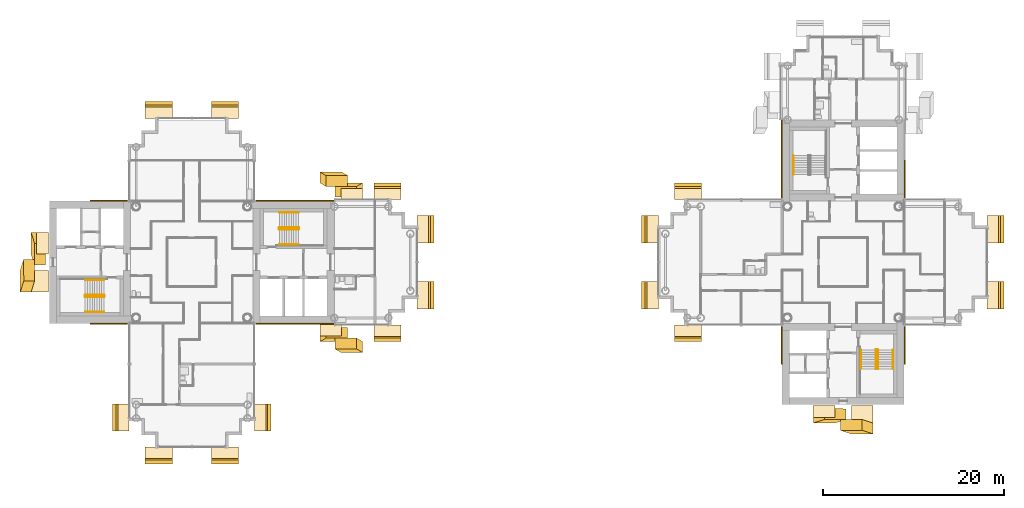
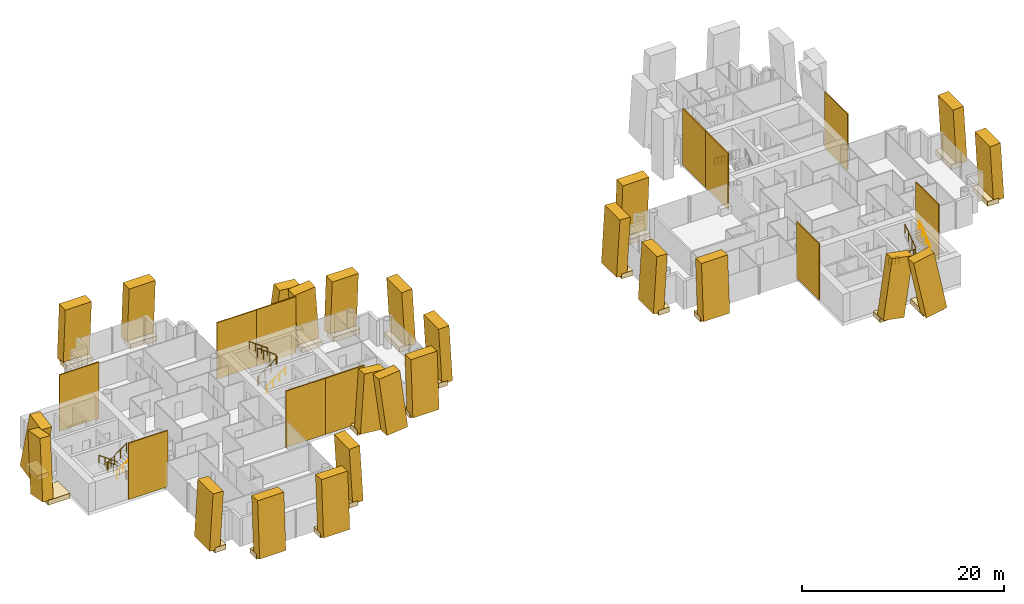
# One storey, part 16 of 18: 57 coverings, 10 railings.
"""IFC4 building model written with IfcOpenShell, lengths in metres."""

import ifcopenshell
import ifcopenshell.guid

model = None  # the IFC model being written
_history = None  # IfcOwnerHistory: only IFC2X3 demands one
_inside = {}  # id of a spatial element -> (the spatial element, [elements in it])
_under = {}  # id of a project, library or spatial element -> (it, [spatial elements below it])
_declared = {}  # id of a project -> (the project, [libraries it declares])
_typed = {}  # id of a type object -> (the type object, [elements of that type])
_made_of = {}  # id of a material, layer set ... -> (it, [elements and type objects made of it])


def new_model(schema):
    """Start an empty IFC model of exactly this schema.

    Asked for "IFC4X3", IfcOpenShell would pick the latest addendum, in which some entities
    have other attributes; the version numbers below select the first issue.
    IFC2X3 requires an IfcOwnerHistory on every rooted entity: one is made here for all.
    """
    global model, _history
    if schema == "IFC4X3":
        model = ifcopenshell.file(schema_version=(4, 3, 0, 0))
    else:
        model = ifcopenshell.file(schema=schema)
    _inside.clear()
    _under.clear()
    _declared.clear()
    _typed.clear()
    _made_of.clear()
    _history = None
    if model.schema == "IFC2X3":
        org = make("IfcOrganization", Name="unknown")
        user = make(
            "IfcPersonAndOrganization",
            ThePerson=make("IfcPerson", FamilyName="unknown"),
            TheOrganization=org,
        )
        app = make(
            "IfcApplication",
            ApplicationDeveloper=org,
            Version="unknown",
            ApplicationFullName="unknown",
            ApplicationIdentifier="unknown",
        )
        _history = make(
            "IfcOwnerHistory",
            OwningUser=user,
            OwningApplication=app,
            ChangeAction="ADDED",
            CreationDate=0,
        )
    return model


def make(cls, **values):
    """One entity of the class cls with the attributes given. An attribute that is None is left unset."""
    return model.create_entity(
        cls, **{name: value for name, value in values.items() if value is not None}
    )


def rooted(cls, **values):
    """An entity with a GlobalId (a new one), such as an element, a storey or a relation."""
    return make(cls, GlobalId=ifcopenshell.guid.new(), OwnerHistory=_history, **values)


def si_unit(unit_type, name, prefix=None):
    """IfcSIUnit, for example si_unit("LENGTHUNIT", "METRE", prefix="MILLI")."""
    return make("IfcSIUnit", UnitType=unit_type, Prefix=prefix, Name=name)


def assignment(units):
    """IfcUnitAssignment: the units of a project."""
    return None if units is None else make("IfcUnitAssignment", Units=units)


def point(xyz):
    """IfcCartesianPoint."""
    return None if xyz is None else make("IfcCartesianPoint", Coordinates=xyz)


def direction(xyz):
    """IfcDirection."""
    return None if xyz is None else make("IfcDirection", DirectionRatios=xyz)


def frame(location, z_axis=None, x_axis=None):
    """IfcAxis2Placement3D, a coordinate frame: its origin and axes. An axis left out is left unset."""
    return make(
        "IfcAxis2Placement3D",
        Location=point(location),
        Axis=direction(z_axis),
        RefDirection=direction(x_axis),
    )


def frame_2d(location, x_axis=None):
    """IfcAxis2Placement2D, a coordinate frame in the plane: its origin and x axis."""
    return make(
        "IfcAxis2Placement2D", Location=point(location), RefDirection=direction(x_axis)
    )


def origin():
    """The frame at (0, 0, 0) with its axes left unset."""
    return frame((0.0, 0.0, 0.0))


def origin_2d():
    """The frame at (0, 0) in the plane with its x axis left unset."""
    return frame_2d((0.0, 0.0))


def place(relative_to, where):
    """IfcLocalPlacement: puts the frame where relative to a parent placement (None: the world)."""
    return make(
        "IfcLocalPlacement", PlacementRelTo=relative_to, RelativePlacement=where
    )


def context(
    kind, dimensions, precision=None, world=None, true_north=None, identifier=None
):
    """IfcGeometricRepresentationContext, for example the 3D "Model" context."""
    return make(
        "IfcGeometricRepresentationContext",
        ContextIdentifier=identifier,
        ContextType=kind,
        CoordinateSpaceDimension=dimensions,
        Precision=precision,
        WorldCoordinateSystem=world,
        TrueNorth=true_north,
    )


def subcontext(parent, identifier, kind, view, scale=None):
    """IfcGeometricRepresentationSubContext, for example "Body" below "Model"."""
    return make(
        "IfcGeometricRepresentationSubContext",
        ContextIdentifier=identifier,
        ContextType=kind,
        ParentContext=parent,
        TargetScale=scale,
        TargetView=view,
    )


def project(units=None, contexts=None):
    """IfcProject with its units and contexts."""
    return rooted(
        "IfcProject",
        Name="project",
        RepresentationContexts=contexts,
        UnitsInContext=assignment(units),
    )


def spatial(cls, under=None, at=None, **own):
    """A site, building, storey or space (cls), placed at a placement, below another one or the project."""
    s = rooted(cls, ObjectPlacement=at, **own)
    if under is not None:
        _under.setdefault(under.id(), (under, []))[1].append(s)
    return s


def profile(cls, at=None, kind="AREA", **sizes):
    """A parametric profile (cls). Its sizes go by their IFC names, for example OverallWidth=200.0."""
    return make(cls, ProfileType=kind, Position=at, **sizes)


def rectangle(**sizes):
    """IfcRectangleProfileDef."""
    return profile("IfcRectangleProfileDef", **sizes)


def circle(**sizes):
    """IfcCircleProfileDef."""
    return profile("IfcCircleProfileDef", **sizes)


def extrude(swept, where, along, depth):
    """IfcExtrudedAreaSolid: the profile swept, set in the frame where, extruded along a direction by depth."""
    return make(
        "IfcExtrudedAreaSolid",
        SweptArea=swept,
        Position=where,
        ExtrudedDirection=direction(along),
        Depth=depth,
    )


def shape(context_of_items, identifier, shape_type, items):
    """IfcShapeRepresentation: the items that make up one representation, for example the "Body"."""
    return make(
        "IfcShapeRepresentation",
        ContextOfItems=context_of_items,
        RepresentationIdentifier=identifier,
        RepresentationType=shape_type,
        Items=items,
    )


def material(Name=None, Category=None):
    """IfcMaterial."""
    return make("IfcMaterial", Name=Name, Category=Category)


def layer(
    of_material, thickness, ventilated=None, Name=None, Category=None, Priority=None
):
    """IfcMaterialLayer: one layer of a wall or slab, of a material (None: an air gap)."""
    return make(
        "IfcMaterialLayer",
        Material=of_material,
        LayerThickness=thickness,
        IsVentilated=ventilated,
        Name=Name,
        Category=Category,
        Priority=Priority,
    )


def layer_set(layers, Name=None):
    """IfcMaterialLayerSet."""
    return make("IfcMaterialLayerSet", MaterialLayers=layers, LayerSetName=Name)


def material_profile(
    of_material, cross_section, Name=None, Category=None, Priority=None
):
    """IfcMaterialProfile: a cross section and its material."""
    return make(
        "IfcMaterialProfile",
        Name=Name,
        Material=of_material,
        Profile=cross_section,
        Priority=Priority,
        Category=Category,
    )


def profile_set(profiles, Name=None, composite=None):
    """IfcMaterialProfileSet."""
    return make(
        "IfcMaterialProfileSet",
        Name=Name,
        MaterialProfiles=profiles,
        CompositeProfile=composite,
    )


def made_of(thing, what):
    """Note that an element or type object is made of a material, layer set ...; save() writes the relation."""
    if what is not None:
        _made_of.setdefault(what.id(), (what, []))[1].append(thing)
    return thing


def type_object(cls, material=None, **own):
    """A type object (cls), such as IfcWallType, which elements share."""
    return made_of(rooted(cls, **own), material)


def element(
    cls,
    number,
    at=None,
    inside=None,
    cuts=None,
    type_object=None,
    material=None,
    context=None,
    identifier="Body",
    shape_type=None,
    held_by="IfcProductDefinitionShape",
    body=None,
    shapes=None,
    **own,
):
    """One element of the class cls, such as IfcWall. Its Tag is "e" and its number.

    at: its placement. inside: the storey or other place that contains it. cuts: it is an
    opening in that element (IfcRelVoidsElement). A single representation is given by context,
    identifier, shape_type and body (its items); several are given by shapes. held_by: the class
    of the entity that holds the representations. save() writes the other relations.
    """
    e = rooted(cls, Tag="e%d" % number, ObjectPlacement=at, **own)
    if body is not None:
        shapes = [shape(context, identifier, shape_type, body)]
    if shapes is not None:
        e.Representation = make(held_by, Representations=shapes)
    if inside is not None:
        _inside.setdefault(inside.id(), (inside, []))[1].append(e)
    if cuts is not None:
        rooted(
            "IfcRelVoidsElement", RelatingBuildingElement=cuts, RelatedOpeningElement=e
        )
    if type_object is not None:
        _typed.setdefault(type_object.id(), (type_object, []))[1].append(e)
    return made_of(e, material)


def aggregate(whole, parts):
    """IfcRelAggregates: a whole, such as a stair, and the parts it consists of."""
    return rooted("IfcRelAggregates", RelatingObject=whole, RelatedObjects=parts)


def save(model, path):
    """Write the relations noted so far, then the file.

    IfcRelAggregates (storeys below a building ...), IfcRelContainedInSpatialStructure (elements
    in a storey), IfcRelDefinesByType, IfcRelAssociatesMaterial and IfcRelDeclares: one each for
    every whole, place, type object, material and project.
    """
    for whole, parts in _under.values():
        aggregate(whole, parts)
    for where, things in _inside.values():
        rooted(
            "IfcRelContainedInSpatialStructure",
            RelatedElements=things,
            RelatingStructure=where,
        )
    for kind, things in _typed.values():
        rooted("IfcRelDefinesByType", RelatedObjects=things, RelatingType=kind)
    for what, things in _made_of.values():
        rooted("IfcRelAssociatesMaterial", RelatedObjects=things, RelatingMaterial=what)
    for by, libraries in _declared.values():
        rooted("IfcRelDeclares", RelatingContext=by, RelatedDefinitions=libraries)
    model.write(path)


model = new_model("IFC4")

# Units and contexts
model_context = context("Model", 3, precision=1e-05, world=origin(), true_north=direction((0.0, 1.0)))
body_context = subcontext(model_context, "Body", "Model", "MODEL_VIEW")
ifc_project = project(units=[si_unit("LENGTHUNIT", "METRE"), si_unit("AREAUNIT", "SQUARE_METRE"), si_unit("VOLUMEUNIT", "CUBIC_METRE"), si_unit("PLANEANGLEUNIT", "RADIAN"), si_unit("MASSUNIT", "GRAM", prefix="KILO")], contexts=[model_context])

# Site, building, storey
site_placement = place(None, origin())
site = spatial("IfcSite", under=ifc_project, at=site_placement, CompositionType="ELEMENT")
building_placement = place(site_placement, origin())
building = spatial("IfcBuilding", under=site, at=building_placement, Name="Ipe Terrace Towers", CompositionType="ELEMENT")
storey_placement = place(building_placement, frame((0.0, 0.0, 143.89990234375)))
storey = spatial("IfcBuildingStorey", under=building, at=storey_placement, Name="L39", CompositionType="ELEMENT", Elevation=143.89990234375)

# Coverings
ifc_material_1 = material(Name="Concrete C50/60 precast, buff finish", Category="concrete")
ifc_layer = layer(ifc_material_1, 0.1201171875)
ifc_layer_set = layer_set([ifc_layer], Name="STONE CORE CLADDING 120")
covering_type_1 = type_object("IfcCoveringType", Name="STONE CORE CLADDING 120", PredefinedType="CLADDING", material=ifc_layer_set)
for number, where, z_axis, x_axis, name in (
    (1, (-45.0, -6.81005859375, 0.0), (0.0, 0.0, 1.0), (1.0, 0.0, 0.0), "stone core cladding"),
    (2, (-45.0, 6.81005859375, 0.0), (0.0, 0.0, 1.0), (-1.0, 0.0, 0.0), "stone core cladding"),
    (3, (-27.0, -6.81005859375, 0.0), (0.0, 0.0, 1.0), (1.0, 0.0, 0.0), "stone core cladding"),
):
    element("IfcCovering", number, at=place(storey_placement, frame(where, z_axis=z_axis, x_axis=x_axis)), inside=storey, type_object=covering_type_1, Name=name, PredefinedType="CLADDING", context=body_context, shape_type="SweptSolid", body=[
        extrude(rectangle(XDim=4.5, YDim=0.1201171875, at=origin_2d()), origin(), (0.0, 0.0, 1.0), 6.800048828125),
    ])
covering_1_placement = place(storey_placement, frame((-22.4990234375, -6.81005859375, 0.0), z_axis=(0.0, 0.0, 1.0), x_axis=(1.0, 0.0, 0.0)))
element("IfcCovering", 4, at=covering_1_placement, inside=storey, type_object=covering_type_1, Name="stone core cladding", PredefinedType="CLADDING", context=body_context, shape_type="SweptSolid", body=[
    extrude(rectangle(XDim=4.5009765625, YDim=0.1201171875, at=origin_2d()), origin(), (0.0, 0.0, 1.0), 6.800048828125),
])
covering_2_placement = place(storey_placement, frame((-27.0, 6.81005859375, 0.0), z_axis=(0.0, 0.0, 1.0), x_axis=(-1.0, 0.0, 0.0)))
element("IfcCovering", 5, at=covering_2_placement, inside=storey, type_object=covering_type_1, Name="stone core cladding", PredefinedType="CLADDING", context=body_context, shape_type="SweptSolid", body=[
    extrude(rectangle(XDim=4.5, YDim=0.1201171875, at=origin_2d()), origin(), (0.0, 0.0, 1.0), 6.800048828125),
])
covering_3_placement = place(storey_placement, frame((-22.4990234375, 6.81005859375, 0.0), z_axis=(0.0, 0.0, 1.0), x_axis=(-1.0, 0.0, 0.0)))
element("IfcCovering", 6, at=covering_3_placement, inside=storey, type_object=covering_type_1, Name="stone core cladding", PredefinedType="CLADDING", context=body_context, shape_type="SweptSolid", body=[
    extrude(rectangle(XDim=4.5009765625, YDim=0.1201171875, at=origin_2d()), origin(), (0.0, 0.0, 1.0), 6.800048828125),
])
for number, where, z_axis, x_axis, name in (
    (7, (29.18994140625, -9.0, 0.0), (0.0, 0.0, 1.0), (0.0, -1.0, 0.0), "stone core cladding"),
    (8, (29.18994140625, 9.0, 0.0), (0.0, 0.0, 1.0), (0.0, -1.0, 0.0), "stone core cladding"),
):
    element("IfcCovering", number, at=place(storey_placement, frame(where, z_axis=z_axis, x_axis=x_axis)), inside=storey, type_object=covering_type_1, Name=name, PredefinedType="CLADDING", context=body_context, shape_type="SweptSolid", body=[
        extrude(rectangle(XDim=4.5, YDim=0.1201171875, at=origin_2d()), origin(), (0.0, 0.0, 1.0), 6.800048828125),
    ])
covering_4_placement = place(storey_placement, frame((29.18994140625, 13.5, 0.0), z_axis=(0.0, 0.0, 1.0), x_axis=(0.0, -1.0, 0.0)))
element("IfcCovering", 9, at=covering_4_placement, inside=storey, type_object=covering_type_1, Name="stone core cladding", PredefinedType="CLADDING", context=body_context, shape_type="SweptSolid", body=[
    extrude(rectangle(XDim=4.5009765625, YDim=0.1201171875, at=origin_2d()), origin(), (0.0, 0.0, 1.0), 6.800048828125),
])
for number, where, z_axis, x_axis, name in (
    (10, (42.81005859375, -9.0, 0.0), (0.0, 0.0, 1.0), (0.0, 1.0, 0.0), "stone core cladding"),
    (11, (42.81005859375, 9.0, 0.0), (0.0, 0.0, 1.0), (0.0, 1.0, 0.0), "stone core cladding"),
):
    element("IfcCovering", number, at=place(storey_placement, frame(where, z_axis=z_axis, x_axis=x_axis)), inside=storey, type_object=covering_type_1, Name=name, PredefinedType="CLADDING", context=body_context, shape_type="SweptSolid", body=[
        extrude(rectangle(XDim=4.5, YDim=0.1201171875, at=origin_2d()), origin(), (0.0, 0.0, 1.0), 6.800048828125),
    ])
ifc_material_2 = material(Name="Concrete C50/60 precast, buff finish", Category="concrete")
ifc_material_profile_1 = material_profile(ifc_material_2, rectangle(XDim=2.39990234375, YDim=1.199951171875, at=origin_2d()), Name="STONE FIN 2400 x 1200")
ifc_profile_set_1 = profile_set([ifc_material_profile_1], Name="Concrete C50/60 precast, buff finish")
covering_type_2 = type_object("IfcCoveringType", Name="STONE FIN 2400 x 1200", PredefinedType="USERDEFINED", material=ifc_profile_set_1)
for number, where, z_axis, x_axis, name in (
    (12, (-18.306884765625, -9.37890625, 0.0), (-0.099785531542, 0.057845651237, 0.993326093651), (0.99500896865, 0.005801112599, 0.099616762634), "stone fin"),
    (13, (-18.306884765625, 8.178955078125, 0.0), (-0.099785531542, -0.057845651237, 0.993326093651), (-0.99500896865, 0.005801112599, -0.099616762634), "stone fin"),
    (14, (-20.64306640625, -8.178955078125, 0.0), (0.099785531542, 0.057845651237, 0.993326093651), (0.99500896865, -0.005801112599, -0.099616762634), "stone fin"),
    (15, (-20.64306640625, 9.37890625, 0.0), (0.099785531542, -0.057845651237, 0.993326093651), (-0.99500896865, -0.005801112599, 0.099616762634), "stone fin"),
):
    element("IfcCovering", number, at=place(storey_placement, frame(where, z_axis=z_axis, x_axis=x_axis)), inside=storey, type_object=covering_type_2, Name=name, ObjectType="FIN", PredefinedType="USERDEFINED", context=body_context, shape_type="SweptSolid", body=[
        extrude(rectangle(XDim=2.39990234375, YDim=1.199951171875, at=origin_2d()), origin(), (0.0, 0.0, 1.0), 6.845703125),
    ])
for number, where, z_axis, x_axis, name in (
    (16, (-54.37890625, -2.112060546875, 0.0), (0.057203032337, 0.178415623053, 0.98229103556), (0.010372336567, -0.983955215165, 0.178113865781), "stone fin"),
    (17, (-53.178955078125, 2.112060546875, 0.0), (0.057203032337, -0.178415623053, 0.98229103556), (-0.010372336567, -0.983955215165, -0.178113865781), "stone fin"),
    (18, (33.887939453125, -17.178955078125, 0.0), (0.178415623053, 0.057203032337, 0.98229103556), (0.983955215165, -0.010372336567, -0.178113865781), "stone fin"),
    (19, (38.112060546875, -18.37890625, 0.0), (-0.178415623053, 0.057203032337, 0.98229103556), (0.983955215165, 0.010372336567, 0.178113865781), "stone fin"),
):
    element("IfcCovering", number, at=place(storey_placement, frame(where, z_axis=z_axis, x_axis=x_axis)), inside=storey, type_object=covering_type_2, Name=name, ObjectType="FIN", PredefinedType="USERDEFINED", context=body_context, shape_type="SweptSolid", body=[
        extrude(rectangle(XDim=2.39990234375, YDim=1.199951171875, at=origin_2d()), origin(), (0.0, 0.0, 1.0), 6.922607421875),
    ])
ifc_material_3 = material(Name="Concrete C50/60 precast, buff finish", Category="concrete")
ifc_material_profile_2 = material_profile(ifc_material_3, rectangle(XDim=3.0, YDim=1.199951171875, at=origin_2d()), Name="STONE FIN CORNER 3000 x 1200")
ifc_profile_set_2 = profile_set([ifc_material_profile_2], Name="Concrete C50/60 precast, buff finish")
covering_type_3 = type_object("IfcCoveringType", Name="STONE FIN CORNER 3000 x 1200", PredefinedType="USERDEFINED", material=ifc_profile_set_2)
for number, where, z_axis, x_axis, name in (
    (20, (-9.821044921875, -3.64990234375, 0.0), (-0.058135808882, 0.0, 0.998308683587), (0.0, 1.0, 0.0), "stone fin"),
    (21, (-9.821044921875, 3.64990234375, 0.0), (-0.058135808882, 0.0, 0.998308683587), (0.0, 1.0, 0.0), "stone fin"),
    (22, (-14.35009765625, -8.178955078125, 0.0), (0.0, 0.058135808882, 0.998308683587), (1.0, 0.0, 0.0), "stone fin"),
    (23, (-14.35009765625, 8.178955078125, 0.0), (0.0, -0.058135808882, 0.998308683587), (-1.0, 0.0, 0.0), "stone fin"),
    (24, (-27.821044921875, -17.14990234375, 0.0), (-0.058135808882, 0.0, 0.998308683587), (0.0, 1.0, 0.0), "stone fin"),
    (25, (-32.35009765625, -21.678955078125, 0.0), (0.0, 0.058135808882, 0.998308683587), (1.0, 0.0, 0.0), "stone fin"),
    (26, (-32.35009765625, 17.178955078125, 0.0), (0.0, -0.058135808882, 0.998308683587), (-1.0, 0.0, 0.0), "stone fin"),
    (27, (-39.64990234375, -21.678955078125, 0.0), (0.0, 0.058135808882, 0.998308683587), (1.0, 0.0, 0.0), "stone fin"),
    (28, (-39.64990234375, 17.178955078125, 0.0), (0.0, -0.058135808882, 0.998308683587), (-1.0, 0.0, 0.0), "stone fin"),
    (29, (-44.178955078125, -17.14990234375, 0.0), (0.058135808882, 0.0, 0.998308683587), (0.0, -1.0, 0.0), "stone fin"),
    (30, (14.321044921875, -3.64990234375, 0.0), (0.058135808882, 0.0, 0.998308683587), (0.0, -1.0, 0.0), "stone fin"),
    (31, (14.321044921875, 3.64990234375, 0.0), (0.058135808882, 0.0, 0.998308683587), (0.0, -1.0, 0.0), "stone fin"),
    (32, (18.85009765625, -8.178955078125, 0.0), (0.0, 0.058135808882, 0.998308683587), (1.0, 0.0, 0.0), "stone fin"),
    (33, (18.85009765625, 8.178955078125, 0.0), (0.0, -0.058135808882, 0.998308683587), (-1.0, 0.0, 0.0), "stone fin"),
    (34, (53.178955078125, -3.64990234375, 0.0), (-0.058135808882, 0.0, 0.998308683587), (0.0, 1.0, 0.0), "stone fin"),
    (35, (53.178955078125, 3.64990234375, 0.0), (-0.058135808882, 0.0, 0.998308683587), (0.0, 1.0, 0.0), "stone fin"),
):
    element("IfcCovering", number, at=place(storey_placement, frame(where, z_axis=z_axis, x_axis=x_axis)), inside=storey, type_object=covering_type_3, Name=name, ObjectType="FIN", PredefinedType="USERDEFINED", context=body_context, shape_type="SweptSolid", body=[
        extrude(rectangle(XDim=3.0, YDim=1.199951171875, at=origin_2d()), origin(), (0.0, 0.0, 1.0), 6.8115234375),
    ])
ifc_material_4 = material(Name="Concrete C50/60 precast, buff finish", Category="concrete")
covering_type_4 = type_object("IfcCoveringType", Name="STONE FIN SHELF 2400 x 600", PredefinedType="CLADDING", material=ifc_material_4)
covering_5_placement = place(storey_placement, frame((-18.306884765625, 7.548095703125, -0.349853515625), z_axis=(0.0, 0.0, 1.0), x_axis=(-1.0, 0.0, 0.0)))
element("IfcCovering", 36, at=covering_5_placement, inside=storey, type_object=covering_type_4, Name="stone fin shelf", PredefinedType="CLADDING", context=body_context, shape_type="SweptSolid", body=[
    extrude(rectangle(XDim=2.39990234375, YDim=1.262939453125, at=origin_2d()), origin(), (0.0, 0.0, 1.0), 0.60009765625),
])
covering_6_placement = place(storey_placement, frame((-20.64306640625, -7.51904296875, -0.349853515625), z_axis=(0.0, 0.0, 1.0), x_axis=(1.0, 0.0, 0.0)))
element("IfcCovering", 37, at=covering_6_placement, inside=storey, type_object=covering_type_4, Name="stone fin shelf", PredefinedType="CLADDING", context=body_context, shape_type="SweptSolid", body=[
    extrude(rectangle(XDim=2.39990234375, YDim=1.319091796875, at=origin_2d()), origin(), (0.0, 0.0, 1.0), 0.60009765625),
])
covering_7_placement = place(storey_placement, frame((-53.1201171875, -2.112060546875, -0.349853515625), z_axis=(0.0, 0.0, 1.0), x_axis=(0.0, -1.0, 0.0)))
element("IfcCovering", 38, at=covering_7_placement, inside=storey, type_object=covering_type_4, Name="stone fin shelf", PredefinedType="CLADDING", context=body_context, shape_type="SweptSolid", body=[
    extrude(rectangle(XDim=2.39990234375, YDim=2.51904296875, at=origin_2d()), origin(), (0.0, 0.0, 1.0), 0.60009765625),
])
for number, where, z_axis, x_axis, name in (
    (39, (-52.52001953125, 2.112060546875, -0.349853515625), (0.0, 0.0, 1.0), (0.0, -1.0, 0.0), "stone fin shelf"),
    (40, (33.887939453125, -16.52001953125, -0.349853515625), (0.0, 0.0, 1.0), (1.0, 0.0, 0.0), "stone fin shelf"),
):
    element("IfcCovering", number, at=place(storey_placement, frame(where, z_axis=z_axis, x_axis=x_axis)), inside=storey, type_object=covering_type_4, Name=name, PredefinedType="CLADDING", context=body_context, shape_type="SweptSolid", body=[
        extrude(rectangle(XDim=2.39990234375, YDim=1.319091796875, at=origin_2d()), origin(), (0.0, 0.0, 1.0), 0.60009765625),
    ])
covering_8_placement = place(storey_placement, frame((38.112060546875, -17.1201171875, -0.349853515625), z_axis=(0.0, 0.0, 1.0), x_axis=(1.0, 0.0, 0.0)))
element("IfcCovering", 41, at=covering_8_placement, inside=storey, type_object=covering_type_4, Name="stone fin shelf", PredefinedType="CLADDING", context=body_context, shape_type="SweptSolid", body=[
    extrude(rectangle(XDim=2.39990234375, YDim=2.51904296875, at=origin_2d()), origin(), (0.0, 0.0, 1.0), 0.60009765625),
])
ifc_material_5 = material(Name="Concrete C50/60 precast, buff finish", Category="concrete")
covering_type_5 = type_object("IfcCoveringType", Name="STONE FIN SHELF 3000 x 600", PredefinedType="CLADDING", material=ifc_material_5)
for number, where, z_axis, x_axis, name in (
    (42, (-10.452880859375, -3.64990234375, -0.349853515625), (0.0, 0.0, 1.0), (0.0, 1.0, 0.0), "stone fin shelf"),
    (43, (-10.452880859375, 3.64990234375, -0.349853515625), (0.0, 0.0, 1.0), (0.0, 1.0, 0.0), "stone fin shelf"),
    (44, (-14.35009765625, -7.548095703125, -0.349853515625), (0.0, 0.0, 1.0), (1.0, 0.0, 0.0), "stone fin shelf"),
    (45, (-14.35009765625, 7.548095703125, -0.349853515625), (0.0, 0.0, 1.0), (-1.0, 0.0, 0.0), "stone fin shelf"),
    (46, (-28.452880859375, -17.14990234375, -0.349853515625), (0.0, 0.0, 1.0), (0.0, 1.0, 0.0), "stone fin shelf"),
    (47, (-32.35009765625, -21.047119140625, -0.349853515625), (0.0, 0.0, 1.0), (1.0, 0.0, 0.0), "stone fin shelf"),
    (48, (-32.35009765625, 16.547119140625, -0.349853515625), (0.0, 0.0, 1.0), (-1.0, 0.0, 0.0), "stone fin shelf"),
    (49, (-39.64990234375, -21.047119140625, -0.349853515625), (0.0, 0.0, 1.0), (1.0, 0.0, 0.0), "stone fin shelf"),
    (50, (-39.64990234375, 16.547119140625, -0.349853515625), (0.0, 0.0, 1.0), (-1.0, 0.0, 0.0), "stone fin shelf"),
    (51, (-43.547119140625, -17.14990234375, -0.349853515625), (0.0, 0.0, 1.0), (0.0, -1.0, 0.0), "stone fin shelf"),
    (52, (14.952880859375, -3.64990234375, -0.349853515625), (0.0, 0.0, 1.0), (0.0, -1.0, 0.0), "stone fin shelf"),
    (53, (14.952880859375, 3.64990234375, -0.349853515625), (0.0, 0.0, 1.0), (0.0, -1.0, 0.0), "stone fin shelf"),
    (54, (18.85009765625, -7.548095703125, -0.349853515625), (0.0, 0.0, 1.0), (1.0, 0.0, 0.0), "stone fin shelf"),
    (55, (18.85009765625, 7.548095703125, -0.349853515625), (0.0, 0.0, 1.0), (-1.0, 0.0, 0.0), "stone fin shelf"),
    (56, (52.547119140625, -3.64990234375, -0.349853515625), (0.0, 0.0, 1.0), (0.0, 1.0, 0.0), "stone fin shelf"),
    (57, (52.547119140625, 3.64990234375, -0.349853515625), (0.0, 0.0, 1.0), (0.0, 1.0, 0.0), "stone fin shelf"),
):
    element("IfcCovering", number, at=place(storey_placement, frame(where, z_axis=z_axis, x_axis=x_axis)), inside=storey, type_object=covering_type_5, Name=name, PredefinedType="CLADDING", context=body_context, shape_type="SweptSolid", body=[
        extrude(rectangle(XDim=3.0, YDim=1.262939453125, at=origin_2d()), origin(), (0.0, 0.0, 1.0), 0.60009765625),
    ])

# Railings
ifc_material_6 = material(Name="Steel S355", Category="steel")
railing_type_1 = type_object("IfcRailingType", Name="Stair guard 1100", PredefinedType="GUARDRAIL", material=ifc_material_6)
railing_1_placement = place(storey_placement, frame((-26.35009765625, 3.800048828125, 0.0)))
element("IfcRailing", 58, at=railing_1_placement, inside=storey, type_object=railing_type_1, Name="L39 T1-ST1 stair guard 1", PredefinedType="GUARDRAIL", context=body_context, shape_type="SweptSolid", body=[
    extrude(circle(Radius=0.02392578125, at=origin_2d()), frame((0.0, 0.0, 1.076171875), z_axis=(0.0, -1.0, 0.0), x_axis=(1.0, 0.0, 0.0)), (0.0, 0.0, 1.0), 0.150146484375),
    extrude(circle(Radius=0.02392578125, at=origin_2d()), frame((0.0, -0.150146484375, 1.076171875), z_axis=(0.248103849378, -0.246893586699, 0.936743314239), x_axis=(0.705375805398, 0.708833529934, 0.0)), (0.0, 0.0, 1.0), 0.20166015625),
    extrude(circle(Radius=0.02392578125, at=origin_2d()), frame((0.050048828125, -0.199951171875, 1.26513671875), z_axis=(0.809023421508, 0.0, 0.587776406001), x_axis=(0.0, 1.0, 0.0)), (0.0, 0.0, 1.0), 2.571044921875),
    extrude(circle(Radius=0.02392578125, at=origin_2d()), frame((2.130126953125, -0.199951171875, 2.7763671875), z_axis=(0.708833529934, 0.705375805398, 0.0), x_axis=(-0.705375805398, 0.708833529934, 0.0)), (0.0, 0.0, 1.0), 0.070556640625),
    extrude(circle(Radius=0.02392578125, at=origin_2d()), frame((2.18017578125, -0.150146484375, 2.7763671875), z_axis=(0.0, 1.0, 0.0), x_axis=(-1.0, 0.0, 0.0)), (0.0, 0.0, 1.0), 0.150146484375),
    extrude(circle(Radius=0.02392578125, at=origin_2d()), frame((2.18017578125, 0.0, 2.7763671875), z_axis=(-0.248310886586, 0.248310886586, 0.936313733321), x_axis=(-0.707106781187, -0.707106781187, 0.0)), (0.0, 0.0, 1.0), 0.20166015625),
    extrude(circle(Radius=0.02392578125, at=origin_2d()), frame((2.130126953125, 0.050048828125, 2.96484375), z_axis=(-0.809023421508, 0.0, 0.587776406001), x_axis=(0.0, -1.0, 0.0)), (0.0, 0.0, 1.0), 2.571044921875),
    extrude(circle(Radius=0.02099609375, at=origin_2d()), origin(), (0.0, 0.0, 1.0), 1.052001953125),
    extrude(circle(Radius=0.02099609375, at=origin_2d()), frame((0.0, -0.150146484375, 0.0)), (0.0, 0.0, 1.0), 1.052001953125),
    extrude(circle(Radius=0.02099609375, at=origin_2d()), frame((0.050048828125, -0.199951171875, 0.18896484375)), (0.0, 0.0, 1.0), 1.052001953125),
    extrude(circle(Radius=0.02099609375, at=origin_2d()), frame((0.743408203125, -0.199951171875, 0.692626953125)), (0.0, 0.0, 1.0), 1.052001953125),
    extrude(circle(Radius=0.02099609375, at=origin_2d()), frame((1.436767578125, -0.199951171875, 1.196533203125)), (0.0, 0.0, 1.0), 1.052001953125),
    extrude(circle(Radius=0.02099609375, at=origin_2d()), frame((2.130126953125, -0.199951171875, 1.7001953125)), (0.0, 0.0, 1.0), 1.052001953125),
    extrude(circle(Radius=0.02099609375, at=origin_2d()), frame((2.18017578125, -0.150146484375, 1.7001953125)), (0.0, 0.0, 1.0), 1.052001953125),
    extrude(circle(Radius=0.02099609375, at=origin_2d()), frame((2.18017578125, 0.0, 1.7001953125)), (0.0, 0.0, 1.0), 1.052001953125),
    extrude(circle(Radius=0.02099609375, at=origin_2d()), frame((2.130126953125, 0.050048828125, 1.888916015625)), (0.0, 0.0, 1.0), 1.052001953125),
    extrude(circle(Radius=0.02099609375, at=origin_2d()), frame((1.436767578125, 0.050048828125, 2.392578125)), (0.0, 0.0, 1.0), 1.052001953125),
    extrude(circle(Radius=0.02099609375, at=origin_2d()), frame((0.743408203125, 0.050048828125, 2.896484375)), (0.0, 0.0, 1.0), 1.052001953125),
    extrude(circle(Radius=0.02099609375, at=origin_2d()), frame((0.050048828125, 0.050048828125, 3.400146484375)), (0.0, 0.0, 1.0), 1.052001953125),
])
railing_2_placement = place(storey_placement, frame((-45.64990234375, -3.800048828125, 0.0)))
element("IfcRailing", 59, at=railing_2_placement, inside=storey, type_object=railing_type_1, Name="L39 T1-ST2 stair guard 1", PredefinedType="GUARDRAIL", context=body_context, shape_type="SweptSolid", body=[
    extrude(circle(Radius=0.02392578125, at=origin_2d()), frame((0.0, 0.0, 1.076171875), z_axis=(0.0, 1.0, 0.0), x_axis=(-1.0, 0.0, 0.0)), (0.0, 0.0, 1.0), 0.150146484375),
    extrude(circle(Radius=0.02392578125, at=origin_2d()), frame((0.0, 0.150146484375, 1.076171875), z_axis=(-0.248103849378, 0.246893586699, 0.936743314239), x_axis=(-0.705375805398, -0.708833529934, 0.0)), (0.0, 0.0, 1.0), 0.20166015625),
    extrude(circle(Radius=0.02392578125, at=origin_2d()), frame((-0.050048828125, 0.199951171875, 1.26513671875), z_axis=(-0.809023421508, 0.0, 0.587776406001), x_axis=(0.0, -1.0, 0.0)), (0.0, 0.0, 1.0), 2.571044921875),
    extrude(circle(Radius=0.02392578125, at=origin_2d()), frame((-2.130126953125, 0.199951171875, 2.7763671875), z_axis=(-0.708833529934, -0.705375805398, 0.0), x_axis=(0.705375805398, -0.708833529934, 0.0)), (0.0, 0.0, 1.0), 0.070556640625),
    extrude(circle(Radius=0.02392578125, at=origin_2d()), frame((-2.18017578125, 0.150146484375, 2.7763671875), z_axis=(0.0, -1.0, 0.0), x_axis=(1.0, 0.0, 0.0)), (0.0, 0.0, 1.0), 0.150146484375),
    extrude(circle(Radius=0.02392578125, at=origin_2d()), frame((-2.18017578125, 0.0, 2.7763671875), z_axis=(0.248310886586, -0.248310886586, 0.936313733321), x_axis=(0.707106781187, 0.707106781187, 0.0)), (0.0, 0.0, 1.0), 0.20166015625),
    extrude(circle(Radius=0.02392578125, at=origin_2d()), frame((-2.130126953125, -0.050048828125, 2.96484375), z_axis=(0.809023421508, 0.0, 0.587776406001), x_axis=(0.0, 1.0, 0.0)), (0.0, 0.0, 1.0), 2.571044921875),
    extrude(circle(Radius=0.02099609375, at=origin_2d()), origin(), (0.0, 0.0, 1.0), 1.052001953125),
    extrude(circle(Radius=0.02099609375, at=origin_2d()), frame((0.0, 0.150146484375, 0.0)), (0.0, 0.0, 1.0), 1.052001953125),
    extrude(circle(Radius=0.02099609375, at=origin_2d()), frame((-0.050048828125, 0.199951171875, 0.18896484375)), (0.0, 0.0, 1.0), 1.052001953125),
    extrude(circle(Radius=0.02099609375, at=origin_2d()), frame((-0.743408203125, 0.199951171875, 0.692626953125)), (0.0, 0.0, 1.0), 1.052001953125),
    extrude(circle(Radius=0.02099609375, at=origin_2d()), frame((-1.436767578125, 0.199951171875, 1.196533203125)), (0.0, 0.0, 1.0), 1.052001953125),
    extrude(circle(Radius=0.02099609375, at=origin_2d()), frame((-2.130126953125, 0.199951171875, 1.7001953125)), (0.0, 0.0, 1.0), 1.052001953125),
    extrude(circle(Radius=0.02099609375, at=origin_2d()), frame((-2.18017578125, 0.150146484375, 1.7001953125)), (0.0, 0.0, 1.0), 1.052001953125),
    extrude(circle(Radius=0.02099609375, at=origin_2d()), frame((-2.18017578125, 0.0, 1.7001953125)), (0.0, 0.0, 1.0), 1.052001953125),
    extrude(circle(Radius=0.02099609375, at=origin_2d()), frame((-2.130126953125, -0.050048828125, 1.888916015625)), (0.0, 0.0, 1.0), 1.052001953125),
    extrude(circle(Radius=0.02099609375, at=origin_2d()), frame((-1.436767578125, -0.050048828125, 2.392578125)), (0.0, 0.0, 1.0), 1.052001953125),
    extrude(circle(Radius=0.02099609375, at=origin_2d()), frame((-0.743408203125, -0.050048828125, 2.896484375)), (0.0, 0.0, 1.0), 1.052001953125),
    extrude(circle(Radius=0.02099609375, at=origin_2d()), frame((-0.050048828125, -0.050048828125, 3.400146484375)), (0.0, 0.0, 1.0), 1.052001953125),
])
railing_3_placement = place(storey_placement, frame((39.800048828125, -9.64990234375, 0.0)))
element("IfcRailing", 60, at=railing_3_placement, inside=storey, type_object=railing_type_1, Name="L39 T2-ST2 stair guard 1", PredefinedType="GUARDRAIL", context=body_context, shape_type="SweptSolid", body=[
    extrude(circle(Radius=0.02392578125, at=origin_2d()), frame((0.0, 0.0, 1.076171875), z_axis=(-1.0, 0.0, 0.0), x_axis=(0.0, -1.0, 0.0)), (0.0, 0.0, 1.0), 0.150146484375),
    extrude(circle(Radius=0.02392578125, at=origin_2d()), frame((-0.150146484375, 0.0, 1.076171875), z_axis=(-0.246893586699, -0.248103849378, 0.936743314239), x_axis=(0.708833529934, -0.705375805398, 0.0)), (0.0, 0.0, 1.0), 0.20166015625),
    extrude(circle(Radius=0.02392578125, at=origin_2d()), frame((-0.199951171875, -0.050048828125, 1.26513671875), z_axis=(0.0, -0.809023421508, 0.587776406001), x_axis=(1.0, 0.0, 0.0)), (0.0, 0.0, 1.0), 2.571044921875),
    extrude(circle(Radius=0.02392578125, at=origin_2d()), frame((-0.199951171875, -2.130126953125, 2.7763671875), z_axis=(0.705375805398, -0.708833529934, 0.0), x_axis=(0.708833529934, 0.705375805398, 0.0)), (0.0, 0.0, 1.0), 0.070556640625),
    extrude(circle(Radius=0.02392578125, at=origin_2d()), frame((-0.150146484375, -2.18017578125, 2.7763671875), z_axis=(1.0, 0.0, 0.0), x_axis=(0.0, 1.0, 0.0)), (0.0, 0.0, 1.0), 0.150146484375),
    extrude(circle(Radius=0.02392578125, at=origin_2d()), frame((0.0, -2.18017578125, 2.7763671875), z_axis=(0.248310886586, 0.248310886586, 0.936313733321), x_axis=(-0.707106781187, 0.707106781187, 0.0)), (0.0, 0.0, 1.0), 0.20166015625),
    extrude(circle(Radius=0.02392578125, at=origin_2d()), frame((0.050048828125, -2.130126953125, 2.96484375), z_axis=(0.0, 0.809023421508, 0.587776406001), x_axis=(-1.0, 0.0, 0.0)), (0.0, 0.0, 1.0), 2.571044921875),
    extrude(circle(Radius=0.02099609375, at=origin_2d()), origin(), (0.0, 0.0, 1.0), 1.052001953125),
    extrude(circle(Radius=0.02099609375, at=origin_2d()), frame((-0.150146484375, 0.0, 0.0)), (0.0, 0.0, 1.0), 1.052001953125),
    extrude(circle(Radius=0.02099609375, at=origin_2d()), frame((-0.199951171875, -0.050048828125, 0.18896484375)), (0.0, 0.0, 1.0), 1.052001953125),
    extrude(circle(Radius=0.02099609375, at=origin_2d()), frame((-0.199951171875, -0.743408203125, 0.692626953125)), (0.0, 0.0, 1.0), 1.052001953125),
    extrude(circle(Radius=0.02099609375, at=origin_2d()), frame((-0.199951171875, -1.436767578125, 1.196533203125)), (0.0, 0.0, 1.0), 1.052001953125),
    extrude(circle(Radius=0.02099609375, at=origin_2d()), frame((-0.199951171875, -2.130126953125, 1.7001953125)), (0.0, 0.0, 1.0), 1.052001953125),
    extrude(circle(Radius=0.02099609375, at=origin_2d()), frame((-0.150146484375, -2.18017578125, 1.7001953125)), (0.0, 0.0, 1.0), 1.052001953125),
    extrude(circle(Radius=0.02099609375, at=origin_2d()), frame((0.0, -2.18017578125, 1.7001953125)), (0.0, 0.0, 1.0), 1.052001953125),
    extrude(circle(Radius=0.02099609375, at=origin_2d()), frame((0.050048828125, -2.130126953125, 1.888916015625)), (0.0, 0.0, 1.0), 1.052001953125),
    extrude(circle(Radius=0.02099609375, at=origin_2d()), frame((0.050048828125, -1.436767578125, 2.392578125)), (0.0, 0.0, 1.0), 1.052001953125),
    extrude(circle(Radius=0.02099609375, at=origin_2d()), frame((0.050048828125, -0.743408203125, 2.896484375)), (0.0, 0.0, 1.0), 1.052001953125),
    extrude(circle(Radius=0.02099609375, at=origin_2d()), frame((0.050048828125, -0.050048828125, 3.400146484375)), (0.0, 0.0, 1.0), 1.052001953125),
])
ifc_material_7 = material(Name="Stainless steel grade 304", Category="steel")
railing_type_2 = type_object("IfcRailingType", Name="Stair handrail 900", PredefinedType="HANDRAIL", material=ifc_material_7)
railing_4_placement = place(storey_placement, frame((-26.300048828125, 1.949951171875, 0.18896484375)))
element("IfcRailing", 61, at=railing_4_placement, inside=storey, type_object=railing_type_2, Name="L39 T1-ST1 stair handrail 1", PredefinedType="HANDRAIL", context=body_context, shape_type="SweptSolid", body=[
    extrude(circle(Radius=0.02392578125, at=origin_2d()), frame((0.0, 0.0, 0.8759765625), z_axis=(0.809023421508, 0.0, 0.587776406001), x_axis=(0.0, 1.0, 0.0)), (0.0, 0.0, 1.0), 2.571044921875),
    extrude(circle(Radius=0.02099609375, at=origin_2d()), origin(), (0.0, 0.0, 1.0), 0.851806640625),
    extrude(circle(Radius=0.02099609375, at=origin_2d()), frame((0.693359375, 0.0, 0.503662109375)), (0.0, 0.0, 1.0), 0.851806640625),
    extrude(circle(Radius=0.02099609375, at=origin_2d()), frame((1.38671875, 0.0, 1.007568359375)), (0.0, 0.0, 1.0), 0.851806640625),
    extrude(circle(Radius=0.02099609375, at=origin_2d()), frame((2.080078125, 0.0, 1.51123046875)), (0.0, 0.0, 1.0), 0.851806640625),
])
for number, where, name in (
    (62, (-24.219970703125, 5.5, 1.888916015625), "L39 T1-ST1 stair handrail 2"),
    (63, (-45.699951171875, -1.949951171875, 0.18896484375), "L39 T1-ST2 stair handrail 1"),
):
    element("IfcRailing", number, at=place(storey_placement, frame(where)), inside=storey, type_object=railing_type_2, Name=name, PredefinedType="HANDRAIL", context=body_context, shape_type="SweptSolid", body=[
        extrude(circle(Radius=0.02392578125, at=origin_2d()), frame((0.0, 0.0, 0.8759765625), z_axis=(-0.809023421508, 0.0, 0.587776406001), x_axis=(0.0, -1.0, 0.0)), (0.0, 0.0, 1.0), 2.571044921875),
        extrude(circle(Radius=0.02099609375, at=origin_2d()), origin(), (0.0, 0.0, 1.0), 0.851806640625),
        extrude(circle(Radius=0.02099609375, at=origin_2d()), frame((-0.693359375, 0.0, 0.503662109375)), (0.0, 0.0, 1.0), 0.851806640625),
        extrude(circle(Radius=0.02099609375, at=origin_2d()), frame((-1.38671875, 0.0, 1.007568359375)), (0.0, 0.0, 1.0), 0.851806640625),
        extrude(circle(Radius=0.02099609375, at=origin_2d()), frame((-2.080078125, 0.0, 1.51123046875)), (0.0, 0.0, 1.0), 0.851806640625),
    ])
railing_5_placement = place(storey_placement, frame((-47.780029296875, -5.5, 1.888916015625)))
element("IfcRailing", 64, at=railing_5_placement, inside=storey, type_object=railing_type_2, Name="L39 T1-ST2 stair handrail 2", PredefinedType="HANDRAIL", context=body_context, shape_type="SweptSolid", body=[
    extrude(circle(Radius=0.02392578125, at=origin_2d()), frame((0.0, 0.0, 0.8759765625), z_axis=(0.809023421508, 0.0, 0.587776406001), x_axis=(0.0, 1.0, 0.0)), (0.0, 0.0, 1.0), 2.571044921875),
    extrude(circle(Radius=0.02099609375, at=origin_2d()), origin(), (0.0, 0.0, 1.0), 0.851806640625),
    extrude(circle(Radius=0.02099609375, at=origin_2d()), frame((0.693359375, 0.0, 0.503662109375)), (0.0, 0.0, 1.0), 0.851806640625),
    extrude(circle(Radius=0.02099609375, at=origin_2d()), frame((1.38671875, 0.0, 1.007568359375)), (0.0, 0.0, 1.0), 0.851806640625),
    extrude(circle(Radius=0.02099609375, at=origin_2d()), frame((2.080078125, 0.0, 1.51123046875)), (0.0, 0.0, 1.0), 0.851806640625),
])
for number, where, name in (
    (65, (30.5, 11.780029296875, 1.888916015625), "L39 T2-ST1 stair handrail 2"),
    (66, (37.949951171875, -9.699951171875, 0.18896484375), "L39 T2-ST2 stair handrail 1"),
):
    element("IfcRailing", number, at=place(storey_placement, frame(where)), inside=storey, type_object=railing_type_2, Name=name, PredefinedType="HANDRAIL", context=body_context, shape_type="SweptSolid", body=[
        extrude(circle(Radius=0.02392578125, at=origin_2d()), frame((0.0, 0.0, 0.8759765625), z_axis=(0.0, -0.809023421508, 0.587776406001), x_axis=(1.0, 0.0, 0.0)), (0.0, 0.0, 1.0), 2.571044921875),
        extrude(circle(Radius=0.02099609375, at=origin_2d()), origin(), (0.0, 0.0, 1.0), 0.851806640625),
        extrude(circle(Radius=0.02099609375, at=origin_2d()), frame((0.0, -0.693359375, 0.503662109375)), (0.0, 0.0, 1.0), 0.851806640625),
        extrude(circle(Radius=0.02099609375, at=origin_2d()), frame((0.0, -1.38671875, 1.007568359375)), (0.0, 0.0, 1.0), 0.851806640625),
        extrude(circle(Radius=0.02099609375, at=origin_2d()), frame((0.0, -2.080078125, 1.51123046875)), (0.0, 0.0, 1.0), 0.851806640625),
    ])
railing_6_placement = place(storey_placement, frame((41.5, -11.780029296875, 1.888916015625)))
element("IfcRailing", 67, at=railing_6_placement, inside=storey, type_object=railing_type_2, Name="L39 T2-ST2 stair handrail 2", PredefinedType="HANDRAIL", context=body_context, shape_type="SweptSolid", body=[
    extrude(circle(Radius=0.02392578125, at=origin_2d()), frame((0.0, 0.0, 0.8759765625), z_axis=(0.0, 0.809023421508, 0.587776406001), x_axis=(-1.0, 0.0, 0.0)), (0.0, 0.0, 1.0), 2.571044921875),
    extrude(circle(Radius=0.02099609375, at=origin_2d()), origin(), (0.0, 0.0, 1.0), 0.851806640625),
    extrude(circle(Radius=0.02099609375, at=origin_2d()), frame((0.0, 0.693359375, 0.503662109375)), (0.0, 0.0, 1.0), 0.851806640625),
    extrude(circle(Radius=0.02099609375, at=origin_2d()), frame((0.0, 1.38671875, 1.007568359375)), (0.0, 0.0, 1.0), 0.851806640625),
    extrude(circle(Radius=0.02099609375, at=origin_2d()), frame((0.0, 2.080078125, 1.51123046875)), (0.0, 0.0, 1.0), 0.851806640625),
])

save(model, "model.ifc")
